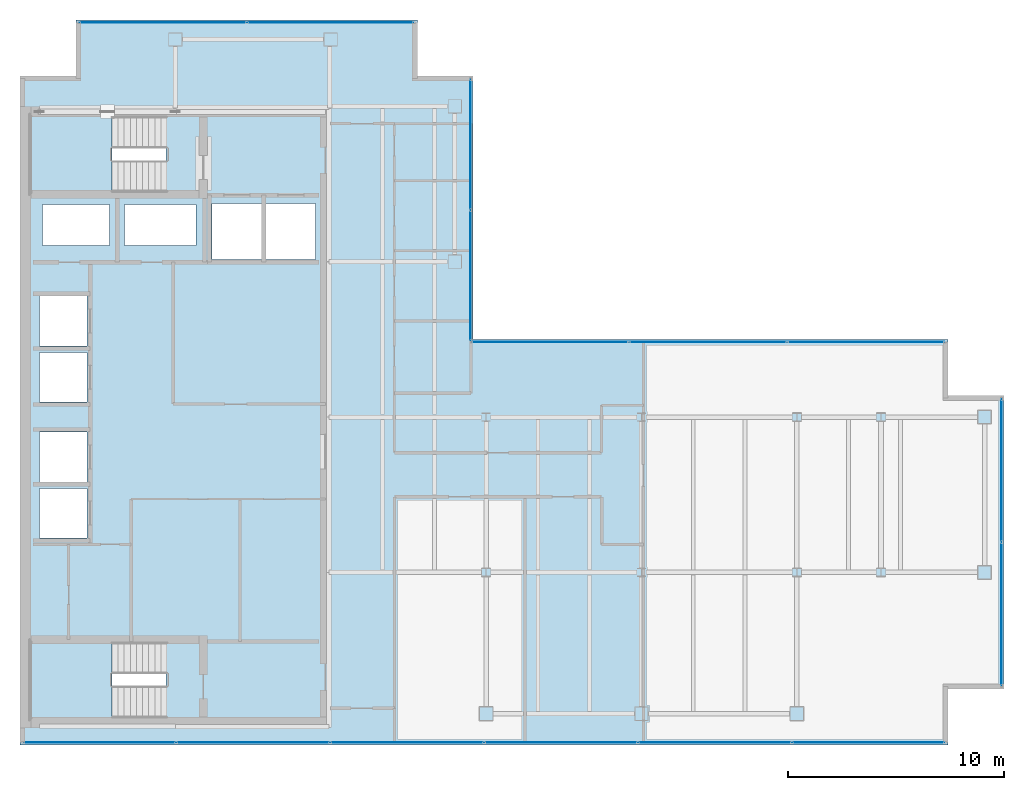
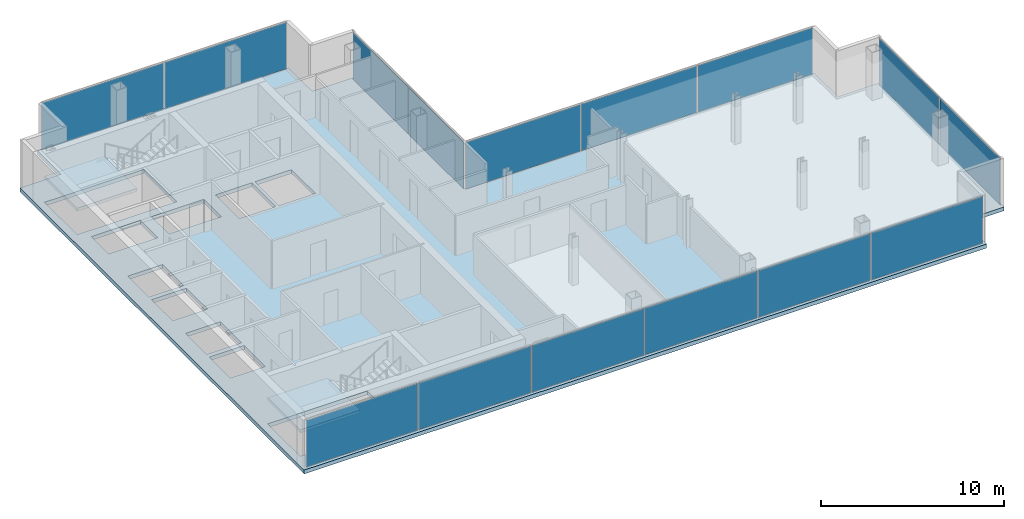
# One storey, part 19 of 23: 15 plates, 3 slabs, 10 openings, 7 elements without a shape of their own.
"""IFC4 building model written with IfcOpenShell, lengths in metres."""

import ifcopenshell
import ifcopenshell.guid

model = None  # the IFC model being written
_history = None  # IfcOwnerHistory: only IFC2X3 demands one
_inside = {}  # id of a spatial element -> (the spatial element, [elements in it])
_under = {}  # id of a project, library or spatial element -> (it, [spatial elements below it])
_declared = {}  # id of a project -> (the project, [libraries it declares])
_typed = {}  # id of a type object -> (the type object, [elements of that type])
_made_of = {}  # id of a material, layer set ... -> (it, [elements and type objects made of it])


def new_model(schema):
    """Start an empty IFC model of exactly this schema.

    Asked for "IFC4X3", IfcOpenShell would pick the latest addendum, in which some entities
    have other attributes; the version numbers below select the first issue.
    IFC2X3 requires an IfcOwnerHistory on every rooted entity: one is made here for all.
    """
    global model, _history
    if schema == "IFC4X3":
        model = ifcopenshell.file(schema_version=(4, 3, 0, 0))
    else:
        model = ifcopenshell.file(schema=schema)
    _inside.clear()
    _under.clear()
    _declared.clear()
    _typed.clear()
    _made_of.clear()
    _history = None
    if model.schema == "IFC2X3":
        org = make("IfcOrganization", Name="unknown")
        user = make(
            "IfcPersonAndOrganization",
            ThePerson=make("IfcPerson", FamilyName="unknown"),
            TheOrganization=org,
        )
        app = make(
            "IfcApplication",
            ApplicationDeveloper=org,
            Version="unknown",
            ApplicationFullName="unknown",
            ApplicationIdentifier="unknown",
        )
        _history = make(
            "IfcOwnerHistory",
            OwningUser=user,
            OwningApplication=app,
            ChangeAction="ADDED",
            CreationDate=0,
        )
    return model


def make(cls, **values):
    """One entity of the class cls with the attributes given. An attribute that is None is left unset."""
    return model.create_entity(
        cls, **{name: value for name, value in values.items() if value is not None}
    )


def rooted(cls, **values):
    """An entity with a GlobalId (a new one), such as an element, a storey or a relation."""
    return make(cls, GlobalId=ifcopenshell.guid.new(), OwnerHistory=_history, **values)


def si_unit(unit_type, name, prefix=None):
    """IfcSIUnit, for example si_unit("LENGTHUNIT", "METRE", prefix="MILLI")."""
    return make("IfcSIUnit", UnitType=unit_type, Prefix=prefix, Name=name)


def assignment(units):
    """IfcUnitAssignment: the units of a project."""
    return None if units is None else make("IfcUnitAssignment", Units=units)


def point(xyz):
    """IfcCartesianPoint."""
    return None if xyz is None else make("IfcCartesianPoint", Coordinates=xyz)


def direction(xyz):
    """IfcDirection."""
    return None if xyz is None else make("IfcDirection", DirectionRatios=xyz)


def frame(location, z_axis=None, x_axis=None):
    """IfcAxis2Placement3D, a coordinate frame: its origin and axes. An axis left out is left unset."""
    return make(
        "IfcAxis2Placement3D",
        Location=point(location),
        Axis=direction(z_axis),
        RefDirection=direction(x_axis),
    )


def frame_2d(location, x_axis=None):
    """IfcAxis2Placement2D, a coordinate frame in the plane: its origin and x axis."""
    return make(
        "IfcAxis2Placement2D", Location=point(location), RefDirection=direction(x_axis)
    )


def origin():
    """The frame at (0, 0, 0) with its axes left unset."""
    return frame((0.0, 0.0, 0.0))


def origin_2d():
    """The frame at (0, 0) in the plane with its x axis left unset."""
    return frame_2d((0.0, 0.0))


def place(relative_to, where):
    """IfcLocalPlacement: puts the frame where relative to a parent placement (None: the world)."""
    return make(
        "IfcLocalPlacement", PlacementRelTo=relative_to, RelativePlacement=where
    )


def context(
    kind, dimensions, precision=None, world=None, true_north=None, identifier=None
):
    """IfcGeometricRepresentationContext, for example the 3D "Model" context."""
    return make(
        "IfcGeometricRepresentationContext",
        ContextIdentifier=identifier,
        ContextType=kind,
        CoordinateSpaceDimension=dimensions,
        Precision=precision,
        WorldCoordinateSystem=world,
        TrueNorth=true_north,
    )


def subcontext(parent, identifier, kind, view, scale=None):
    """IfcGeometricRepresentationSubContext, for example "Body" below "Model"."""
    return make(
        "IfcGeometricRepresentationSubContext",
        ContextIdentifier=identifier,
        ContextType=kind,
        ParentContext=parent,
        TargetScale=scale,
        TargetView=view,
    )


def project(units=None, contexts=None):
    """IfcProject with its units and contexts."""
    return rooted(
        "IfcProject",
        Name="project",
        RepresentationContexts=contexts,
        UnitsInContext=assignment(units),
    )


def spatial(cls, under=None, at=None, **own):
    """A site, building, storey or space (cls), placed at a placement, below another one or the project."""
    s = rooted(cls, ObjectPlacement=at, **own)
    if under is not None:
        _under.setdefault(under.id(), (under, []))[1].append(s)
    return s


def polyline(points):
    """IfcPolyline through the points."""
    return make("IfcPolyline", Points=[point(p) for p in points])


def profile(cls, at=None, kind="AREA", **sizes):
    """A parametric profile (cls). Its sizes go by their IFC names, for example OverallWidth=200.0."""
    return make(cls, ProfileType=kind, Position=at, **sizes)


def rectangle(**sizes):
    """IfcRectangleProfileDef."""
    return profile("IfcRectangleProfileDef", **sizes)


def outline(outer, holes=None, kind="AREA"):
    """IfcArbitraryClosedProfileDef: a profile drawn as a closed curve; with holes, ...WithVoids."""
    if holes is None:
        return make("IfcArbitraryClosedProfileDef", ProfileType=kind, OuterCurve=outer)
    return make(
        "IfcArbitraryProfileDefWithVoids",
        ProfileType=kind,
        OuterCurve=outer,
        InnerCurves=holes,
    )


def extrude(swept, where, along, depth):
    """IfcExtrudedAreaSolid: the profile swept, set in the frame where, extruded along a direction by depth."""
    return make(
        "IfcExtrudedAreaSolid",
        SweptArea=swept,
        Position=where,
        ExtrudedDirection=direction(along),
        Depth=depth,
    )


def shape(context_of_items, identifier, shape_type, items):
    """IfcShapeRepresentation: the items that make up one representation, for example the "Body"."""
    return make(
        "IfcShapeRepresentation",
        ContextOfItems=context_of_items,
        RepresentationIdentifier=identifier,
        RepresentationType=shape_type,
        Items=items,
    )


def material(Name=None, Category=None):
    """IfcMaterial."""
    return make("IfcMaterial", Name=Name, Category=Category)


def layer(
    of_material, thickness, ventilated=None, Name=None, Category=None, Priority=None
):
    """IfcMaterialLayer: one layer of a wall or slab, of a material (None: an air gap)."""
    return make(
        "IfcMaterialLayer",
        Material=of_material,
        LayerThickness=thickness,
        IsVentilated=ventilated,
        Name=Name,
        Category=Category,
        Priority=Priority,
    )


def layer_set(layers, Name=None):
    """IfcMaterialLayerSet."""
    return make("IfcMaterialLayerSet", MaterialLayers=layers, LayerSetName=Name)


def made_of(thing, what):
    """Note that an element or type object is made of a material, layer set ...; save() writes the relation."""
    if what is not None:
        _made_of.setdefault(what.id(), (what, []))[1].append(thing)
    return thing


def type_object(cls, material=None, **own):
    """A type object (cls), such as IfcWallType, which elements share."""
    return made_of(rooted(cls, **own), material)


def element(
    cls,
    number,
    at=None,
    inside=None,
    cuts=None,
    type_object=None,
    material=None,
    context=None,
    identifier="Body",
    shape_type=None,
    held_by="IfcProductDefinitionShape",
    body=None,
    shapes=None,
    **own,
):
    """One element of the class cls, such as IfcWall. Its Tag is "e" and its number.

    at: its placement. inside: the storey or other place that contains it. cuts: it is an
    opening in that element (IfcRelVoidsElement). A single representation is given by context,
    identifier, shape_type and body (its items); several are given by shapes. held_by: the class
    of the entity that holds the representations. save() writes the other relations.
    """
    e = rooted(cls, Tag="e%d" % number, ObjectPlacement=at, **own)
    if body is not None:
        shapes = [shape(context, identifier, shape_type, body)]
    if shapes is not None:
        e.Representation = make(held_by, Representations=shapes)
    if inside is not None:
        _inside.setdefault(inside.id(), (inside, []))[1].append(e)
    if cuts is not None:
        rooted(
            "IfcRelVoidsElement", RelatingBuildingElement=cuts, RelatedOpeningElement=e
        )
    if type_object is not None:
        _typed.setdefault(type_object.id(), (type_object, []))[1].append(e)
    return made_of(e, material)


def aggregate(whole, parts):
    """IfcRelAggregates: a whole, such as a stair, and the parts it consists of."""
    return rooted("IfcRelAggregates", RelatingObject=whole, RelatedObjects=parts)


def save(model, path):
    """Write the relations noted so far, then the file.

    IfcRelAggregates (storeys below a building ...), IfcRelContainedInSpatialStructure (elements
    in a storey), IfcRelDefinesByType, IfcRelAssociatesMaterial and IfcRelDeclares: one each for
    every whole, place, type object, material and project.
    """
    for whole, parts in _under.values():
        aggregate(whole, parts)
    for where, things in _inside.values():
        rooted(
            "IfcRelContainedInSpatialStructure",
            RelatedElements=things,
            RelatingStructure=where,
        )
    for kind, things in _typed.values():
        rooted("IfcRelDefinesByType", RelatedObjects=things, RelatingType=kind)
    for what, things in _made_of.values():
        rooted("IfcRelAssociatesMaterial", RelatedObjects=things, RelatingMaterial=what)
    for by, libraries in _declared.values():
        rooted("IfcRelDeclares", RelatingContext=by, RelatedDefinitions=libraries)
    model.write(path)


model = new_model("IFC4")

# Units and contexts
model_context = context("Model", 3, precision=1e-05, world=origin(), true_north=direction((0.0, 1.0)))
body_context = subcontext(model_context, "Body", "Model", "MODEL_VIEW")
ifc_project = project(units=[si_unit("LENGTHUNIT", "METRE"), si_unit("AREAUNIT", "SQUARE_METRE"), si_unit("VOLUMEUNIT", "CUBIC_METRE"), si_unit("PLANEANGLEUNIT", "RADIAN"), si_unit("MASSUNIT", "GRAM", prefix="KILO")], contexts=[model_context])

# Site, building, storey
site_placement = place(None, origin())
site = spatial("IfcSite", under=ifc_project, at=site_placement, CompositionType="ELEMENT")
building_placement = place(site_placement, origin())
building = spatial("IfcBuilding", under=site, at=building_placement, Name="Cobrela Telecom Tower", CompositionType="ELEMENT")
storey_placement = place(building_placement, frame((0.0, 0.0, 262.14990234375)))
storey = spatial("IfcBuildingStorey", under=building, at=storey_placement, Name="L68", CompositionType="ELEMENT", Elevation=262.14990234375)

# Curtain wall, plates
ifc_material_1 = material(Name="Anodized Bronze Aluminium 6063-T6", Category="aluminium")
curtain_wall_type = type_object("IfcCurtainWallType", Name="CW-SYS-OFF-HI", PredefinedType="USERDEFINED", material=ifc_material_1)
curtain_wall_1_placement = place(storey_placement, origin())
curtain_wall_1 = element("IfcCurtainWall", 1, at=curtain_wall_1_placement, inside=storey, type_object=curtain_wall_type, Name="L68 Unitised Bronze Curtain Wall 05", ObjectType="UNITISED CURTAIN WALL", PredefinedType="USERDEFINED")
ifc_material_2 = material(Name="Solar-Control Bronze Low-E Glass", Category="glass")
ifc_layer_1 = layer(ifc_material_2, 0.030029296875)
ifc_layer_set_1 = layer_set([ifc_layer_1], Name="Solar-Control Bronze Low-E Glass")
plate_type = type_object("IfcPlateType", Name="CW-SYS-OFF-HI-PNL", PredefinedType="CURTAIN_PANEL", material=ifc_layer_set_1)
plate_1_placement = place(storey_placement, frame((6.62255859375, 39.8798828125, 0.06494140625), z_axis=(0.0, 0.0, 1.0), x_axis=(1.0, 0.0, 0.0)))
plate_1 = element("IfcPlate", 2, at=plate_1_placement, type_object=plate_type, Name="CW-OFF-HI panel 1.1", PredefinedType="CURTAIN_PANEL", context=body_context, shape_type="SweptSolid", body=[
    extrude(rectangle(XDim=7.68505859375, YDim=0.030029296875, at=origin_2d()), origin(), (0.0, 0.0, 1.0), 3.110107421875),
])
plate_2_placement = place(storey_placement, frame((14.37744140625, 39.8798828125, 0.06494140625), z_axis=(0.0, 0.0, 1.0), x_axis=(1.0, 0.0, 0.0)))
plate_2 = element("IfcPlate", 3, at=plate_2_placement, type_object=plate_type, Name="CW-OFF-HI panel 2.1", PredefinedType="CURTAIN_PANEL", context=body_context, shape_type="SweptSolid", body=[
    extrude(rectangle(XDim=7.68505859375, YDim=0.030029296875, at=origin_2d()), origin(), (0.0, 0.0, 1.0), 3.110107421875),
])
aggregate(curtain_wall_1, [plate_1, plate_2])

curtain_wall_2_placement = place(storey_placement, origin())
curtain_wall_2 = element("IfcCurtainWall", 4, at=curtain_wall_2_placement, inside=storey, type_object=curtain_wall_type, Name="L68 Unitised Bronze Curtain Wall 08", ObjectType="UNITISED CURTAIN WALL", PredefinedType="USERDEFINED")
plate_3_placement = place(storey_placement, frame((20.8798828125, 34.219970703125, 0.06494140625), z_axis=(0.0, 0.0, 1.0), x_axis=(0.0, -1.0, 0.0)))
plate_3 = element("IfcPlate", 5, at=plate_3_placement, type_object=plate_type, Name="CW-OFF-HI panel 1.1", PredefinedType="CURTAIN_PANEL", context=body_context, shape_type="SweptSolid", body=[
    extrude(rectangle(XDim=6.0, YDim=0.030029296875, at=origin_2d()), origin(), (0.0, 0.0, 1.0), 3.110107421875),
])
plate_4_placement = place(storey_placement, frame((20.8798828125, 28.14990234375, 0.06494140625), z_axis=(0.0, 0.0, 1.0), x_axis=(0.0, -1.0, 0.0)))
plate_4 = element("IfcPlate", 6, at=plate_4_placement, type_object=plate_type, Name="CW-OFF-HI panel 2.1", PredefinedType="CURTAIN_PANEL", context=body_context, shape_type="SweptSolid", body=[
    extrude(rectangle(XDim=6.0, YDim=0.030029296875, at=origin_2d()), origin(), (0.0, 0.0, 1.0), 3.110107421875),
])
aggregate(curtain_wall_2, [plate_3, plate_4])

curtain_wall_3_placement = place(storey_placement, origin())
curtain_wall_3 = element("IfcCurtainWall", 7, at=curtain_wall_3_placement, inside=storey, type_object=curtain_wall_type, Name="L68 Unitised Bronze Curtain Wall 09", ObjectType="UNITISED CURTAIN WALL", PredefinedType="USERDEFINED")
plate_5_placement = place(storey_placement, frame((24.56591796875, 25.080078125, 0.06494140625), z_axis=(0.0, 0.0, 1.0), x_axis=(1.0, 0.0, 0.0)))
plate_5 = element("IfcPlate", 8, at=plate_5_placement, type_object=plate_type, Name="CW-OFF-HI panel 1.1", PredefinedType="CURTAIN_PANEL", context=body_context, shape_type="SweptSolid", body=[
    extrude(rectangle(XDim=7.231689453125, YDim=0.030029296875, at=origin_2d()), origin(), (0.0, 0.0, 1.0), 3.110107421875),
])
plate_6_placement = place(storey_placement, frame((31.885009765625, 25.080078125, 0.06494140625), z_axis=(0.0, 0.0, 1.0), x_axis=(1.0, 0.0, 0.0)))
plate_6 = element("IfcPlate", 9, at=plate_6_placement, type_object=plate_type, Name="CW-OFF-HI panel 2.1", PredefinedType="CURTAIN_PANEL", context=body_context, shape_type="SweptSolid", body=[
    extrude(rectangle(XDim=7.2666015625, YDim=0.030029296875, at=origin_2d()), origin(), (0.0, 0.0, 1.0), 3.110107421875),
])
plate_7_placement = place(storey_placement, frame((39.2041015625, 25.080078125, 0.06494140625), z_axis=(0.0, 0.0, 1.0), x_axis=(1.0, 0.0, 0.0)))
plate_7 = element("IfcPlate", 10, at=plate_7_placement, type_object=plate_type, Name="CW-OFF-HI panel 3.1", PredefinedType="CURTAIN_PANEL", context=body_context, shape_type="SweptSolid", body=[
    extrude(rectangle(XDim=7.231689453125, YDim=0.030029296875, at=origin_2d()), origin(), (0.0, 0.0, 1.0), 3.110107421875),
])
aggregate(curtain_wall_3, [plate_5, plate_6, plate_7])

curtain_wall_4_placement = place(storey_placement, origin())
curtain_wall_4 = element("IfcCurtainWall", 11, at=curtain_wall_4_placement, inside=storey, type_object=curtain_wall_type, Name="L68 Unitised Bronze Curtain Wall 12", ObjectType="UNITISED CURTAIN WALL", PredefinedType="USERDEFINED")
plate_8_placement = place(storey_placement, frame((45.47998046875, 19.12744140625, 0.06494140625), z_axis=(0.0, 0.0, 1.0), x_axis=(0.0, -1.0, 0.0)))
plate_8 = element("IfcPlate", 12, at=plate_8_placement, type_object=plate_type, Name="CW-OFF-HI panel 1.1", PredefinedType="CURTAIN_PANEL", context=body_context, shape_type="SweptSolid", body=[
    extrude(rectangle(XDim=6.5849609375, YDim=0.030029296875, at=origin_2d()), origin(), (0.0, 0.0, 1.0), 3.110107421875),
])
plate_9_placement = place(storey_placement, frame((45.47998046875, 12.472412109375, 0.06494140625), z_axis=(0.0, 0.0, 1.0), x_axis=(0.0, -1.0, 0.0)))
plate_9 = element("IfcPlate", 13, at=plate_9_placement, type_object=plate_type, Name="CW-OFF-HI panel 2.1", PredefinedType="CURTAIN_PANEL", context=body_context, shape_type="SweptSolid", body=[
    extrude(rectangle(XDim=6.5849609375, YDim=0.030029296875, at=origin_2d()), origin(), (0.0, 0.0, 1.0), 3.110107421875),
])
aggregate(curtain_wall_4, [plate_8, plate_9])

curtain_wall_5_placement = place(storey_placement, origin())
curtain_wall_5 = element("IfcCurtainWall", 14, at=curtain_wall_5_placement, inside=storey, type_object=curtain_wall_type, Name="L68 Unitised Bronze Curtain Wall 15", ObjectType="UNITISED CURTAIN WALL", PredefinedType="USERDEFINED")
plate_10_placement = place(storey_placement, frame((39.308349609375, 6.52001953125, 0.06494140625), z_axis=(0.0, 0.0, 1.0), x_axis=(-1.0, 0.0, 0.0)))
plate_10 = element("IfcPlate", 15, at=plate_10_placement, type_object=plate_type, Name="CW-OFF-HI panel 1.1", PredefinedType="CURTAIN_PANEL", context=body_context, shape_type="SweptSolid", body=[
    extrude(rectangle(XDim=7.0234375, YDim=0.030029296875, at=origin_2d()), origin(), (0.0, 0.0, 1.0), 3.110107421875),
])
plate_11_placement = place(storey_placement, frame((32.197509765625, 6.52001953125, 0.06494140625), z_axis=(0.0, 0.0, 1.0), x_axis=(-1.0, 0.0, 0.0)))
plate_11 = element("IfcPlate", 16, at=plate_11_placement, type_object=plate_type, Name="CW-OFF-HI panel 2.1", PredefinedType="CURTAIN_PANEL", context=body_context, shape_type="SweptSolid", body=[
    extrude(rectangle(XDim=7.058349609375, YDim=0.030029296875, at=origin_2d()), origin(), (0.0, 0.0, 1.0), 3.110107421875),
])
plate_12_placement = place(storey_placement, frame((25.069091796875, 6.52001953125, 0.06494140625), z_axis=(0.0, 0.0, 1.0), x_axis=(-1.0, 0.0, 0.0)))
plate_12 = element("IfcPlate", 17, at=plate_12_placement, type_object=plate_type, Name="CW-OFF-HI panel 3.1", PredefinedType="CURTAIN_PANEL", context=body_context, shape_type="SweptSolid", body=[
    extrude(rectangle(XDim=7.058349609375, YDim=0.030029296875, at=origin_2d()), origin(), (0.0, 0.0, 1.0), 3.110107421875),
])
plate_13_placement = place(storey_placement, frame((17.94091796875, 6.52001953125, 0.06494140625), z_axis=(0.0, 0.0, 1.0), x_axis=(-1.0, 0.0, 0.0)))
plate_13 = element("IfcPlate", 18, at=plate_13_placement, type_object=plate_type, Name="CW-OFF-HI panel 4.1", PredefinedType="CURTAIN_PANEL", context=body_context, shape_type="SweptSolid", body=[
    extrude(rectangle(XDim=7.058349609375, YDim=0.030029296875, at=origin_2d()), origin(), (0.0, 0.0, 1.0), 3.110107421875),
])
plate_14_placement = place(storey_placement, frame((10.8125, 6.52001953125, 0.06494140625), z_axis=(0.0, 0.0, 1.0), x_axis=(-1.0, 0.0, 0.0)))
plate_14 = element("IfcPlate", 19, at=plate_14_placement, type_object=plate_type, Name="CW-OFF-HI panel 5.1", PredefinedType="CURTAIN_PANEL", context=body_context, shape_type="SweptSolid", body=[
    extrude(rectangle(XDim=7.058349609375, YDim=0.030029296875, at=origin_2d()), origin(), (0.0, 0.0, 1.0), 3.110107421875),
])
plate_15_placement = place(storey_placement, frame((3.70166015625, 6.52001953125, 0.06494140625), z_axis=(0.0, 0.0, 1.0), x_axis=(-1.0, 0.0, 0.0)))
plate_15 = element("IfcPlate", 20, at=plate_15_placement, type_object=plate_type, Name="CW-OFF-HI panel 6.1", PredefinedType="CURTAIN_PANEL", context=body_context, shape_type="SweptSolid", body=[
    extrude(rectangle(XDim=7.0234375, YDim=0.030029296875, at=origin_2d()), origin(), (0.0, 0.0, 1.0), 3.110107421875),
])
aggregate(curtain_wall_5, [plate_10, plate_11, plate_12, plate_13, plate_14, plate_15])

# Slab, openings
ifc_material_3 = material(Name="Concrete C40/50", Category="concrete")
ifc_layer_2 = layer(ifc_material_3, 0.260009765625)
ifc_layer_set_2 = layer_set([ifc_layer_2], Name="Concrete C40/50")
slab_type_1 = type_object("IfcSlabType", Name="SLAB-FLR-260", PredefinedType="FLOOR", material=ifc_layer_set_2)
slab_1_placement = place(storey_placement, frame((0.0, 0.0, -0.260009765625)))
slab_1 = element("IfcSlab", 21, at=slab_1_placement, inside=storey, type_object=slab_type_1, Name="L68 Structural Floor Slab", PredefinedType="FLOOR", context=body_context, shape_type="SweptSolid", body=[
    extrude(outline(polyline([(0.0, 6.39990234375), (43.010009765625, 6.39990234375), (43.010009765625, 8.989990234375), (45.60009765625, 8.989990234375), (45.60009765625, 22.610107421875), (43.010009765625, 22.610107421875), (43.010009765625, 25.199951171875), (21.0, 25.199951171875), (21.0, 37.409912109375), (18.409912109375, 37.409912109375), (18.409912109375, 40.0), (2.590087890625, 40.0), (2.590087890625, 37.409912109375), (0.0, 37.409912109375), (0.0, 6.39990234375)])), origin(), (0.0, 0.0, 1.0), 0.260009765625),
])
opening_1_placement = place(slab_1_placement, frame((0.0, 0.0, -0.02001953125)))
element("IfcOpeningElement", 22, at=opening_1_placement, cuts=slab_1, Name="Slab Shaft Opening SLAB-L68-MAIN.1", PredefinedType="OPENING", context=body_context, shape_type="SweptSolid", body=[
    extrude(outline(polyline([(8.89990234375, 28.89990234375), (11.199951171875, 28.89990234375), (11.199951171875, 31.5), (8.89990234375, 31.5), (8.89990234375, 28.89990234375)])), origin(), (0.0, 0.0, 1.0), 0.300048828125),
])
opening_2_placement = place(slab_1_placement, frame((0.0, 0.0, -0.02001953125)))
element("IfcOpeningElement", 23, at=opening_2_placement, cuts=slab_1, Name="Slab Shaft Opening SLAB-L68-MAIN.2", PredefinedType="OPENING", context=body_context, shape_type="SweptSolid", body=[
    extrude(outline(polyline([(11.39990234375, 28.89990234375), (13.699951171875, 28.89990234375), (13.699951171875, 31.5), (11.39990234375, 31.5), (11.39990234375, 28.89990234375)])), origin(), (0.0, 0.0, 1.0), 0.300048828125),
])
opening_3_placement = place(slab_1_placement, frame((0.0, 0.0, -0.02001953125)))
element("IfcOpeningElement", 24, at=opening_3_placement, cuts=slab_1, Name="Slab Shaft Opening SLAB-L68-MAIN.3", PredefinedType="OPENING", context=body_context, shape_type="SweptSolid", body=[
    extrude(outline(polyline([(0.89990234375, 16.0), (3.10009765625, 16.0), (3.10009765625, 18.300048828125), (0.89990234375, 18.300048828125), (0.89990234375, 16.0)])), origin(), (0.0, 0.0, 1.0), 0.300048828125),
])
opening_4_placement = place(slab_1_placement, frame((0.0, 0.0, -0.02001953125)))
element("IfcOpeningElement", 25, at=opening_4_placement, cuts=slab_1, Name="Slab Shaft Opening SLAB-L68-MAIN.4", PredefinedType="OPENING", context=body_context, shape_type="SweptSolid", body=[
    extrude(outline(polyline([(0.89990234375, 18.60009765625), (3.10009765625, 18.60009765625), (3.10009765625, 20.89990234375), (0.89990234375, 20.89990234375), (0.89990234375, 18.60009765625)])), origin(), (0.0, 0.0, 1.0), 0.300048828125),
])
opening_5_placement = place(slab_1_placement, frame((0.0, 0.0, -0.02001953125)))
element("IfcOpeningElement", 26, at=opening_5_placement, cuts=slab_1, Name="Slab Shaft Opening SLAB-L68-MAIN.5", PredefinedType="OPENING", context=body_context, shape_type="SweptSolid", body=[
    extrude(outline(polyline([(0.89990234375, 22.300048828125), (3.10009765625, 22.300048828125), (3.10009765625, 24.60009765625), (0.89990234375, 24.60009765625), (0.89990234375, 22.300048828125)])), origin(), (0.0, 0.0, 1.0), 0.300048828125),
])
opening_6_placement = place(slab_1_placement, frame((0.0, 0.0, -0.02001953125)))
element("IfcOpeningElement", 27, at=opening_6_placement, cuts=slab_1, Name="Slab Shaft Opening SLAB-L68-MAIN.6", PredefinedType="OPENING", context=body_context, shape_type="SweptSolid", body=[
    extrude(outline(polyline([(0.89990234375, 24.89990234375), (3.10009765625, 24.89990234375), (3.10009765625, 27.199951171875), (0.89990234375, 27.199951171875), (0.89990234375, 24.89990234375)])), origin(), (0.0, 0.0, 1.0), 0.300048828125),
])
opening_7_placement = place(slab_1_placement, frame((0.0, 0.0, -0.02001953125)))
element("IfcOpeningElement", 28, at=opening_7_placement, cuts=slab_1, Name="Slab Shaft Opening SLAB-L68-MAIN.7", PredefinedType="OPENING", context=body_context, shape_type="SweptSolid", body=[
    extrude(outline(polyline([(1.050048828125, 29.550048828125), (4.14990234375, 29.550048828125), (4.14990234375, 31.449951171875), (1.050048828125, 31.449951171875), (1.050048828125, 29.550048828125)])), origin(), (0.0, 0.0, 1.0), 0.300048828125),
])
opening_8_placement = place(slab_1_placement, frame((0.0, 0.0, -0.02001953125)))
element("IfcOpeningElement", 29, at=opening_8_placement, cuts=slab_1, Name="Slab Shaft Opening SLAB-L68-MAIN.8", PredefinedType="OPENING", context=body_context, shape_type="SweptSolid", body=[
    extrude(outline(polyline([(4.85009765625, 29.550048828125), (8.14990234375, 29.550048828125), (8.14990234375, 31.449951171875), (4.85009765625, 31.449951171875), (4.85009765625, 29.550048828125)])), origin(), (0.0, 0.0, 1.0), 0.300048828125),
])
opening_9_placement = place(slab_1_placement, frame((0.0, 0.0, -0.02001953125)))
element("IfcOpeningElement", 30, at=opening_9_placement, cuts=slab_1, Name="Slab Shaft Opening SLAB-L68-MAIN.9", PredefinedType="OPENING", context=body_context, shape_type="SweptSolid", body=[
    extrude(outline(polyline([(6.7548828125, 35.550048828125), (0.47998046875, 35.550048828125), (0.47998046875, 32.0), (6.7548828125, 32.0), (6.7548828125, 35.550048828125)])), origin(), (0.0, 0.0, 1.0), 0.300048828125),
])
opening_10_placement = place(slab_1_placement, frame((0.0, 0.0, -0.02001953125)))
element("IfcOpeningElement", 31, at=opening_10_placement, cuts=slab_1, Name="Slab Shaft Opening SLAB-L68-MAIN.10", PredefinedType="OPENING", context=body_context, shape_type="SweptSolid", body=[
    extrude(outline(polyline([(6.7548828125, 11.199951171875), (0.47998046875, 11.199951171875), (0.47998046875, 7.64990234375), (6.7548828125, 7.64990234375), (6.7548828125, 11.199951171875)])), origin(), (0.0, 0.0, 1.0), 0.300048828125),
])

# Stair, slab
stair_type = type_object("IfcStairType", Name="STAIR-CORE", PredefinedType="HALF_TURN_STAIR", material=ifc_material_3)
stair_1_placement = place(storey_placement, origin())
stair_1 = element("IfcStair", 32, at=stair_1_placement, inside=storey, type_object=stair_type, Name="L68 Smokeproof Exit Stair ST1", PredefinedType="HALF_TURN_STAIR")
ifc_layer_3 = layer(ifc_material_3, 0.199951171875)
ifc_layer_set_3 = layer_set([ifc_layer_3], Name="Concrete C40/50")
slab_type_2 = type_object("IfcSlabType", Name="SLAB-LAND-200", PredefinedType="LANDING", material=ifc_layer_set_3)
slab_2_placement = place(storey_placement, frame((0.0, 0.0, 1.550048828125)))
slab_2 = element("IfcSlab", 33, at=slab_2_placement, type_object=slab_type_2, Name="ST1 landing 1", PredefinedType="LANDING", context=body_context, shape_type="SweptSolid", body=[
    extrude(outline(polyline([(4.2548828125, 35.550048828125), (0.47998046875, 35.550048828125), (0.47998046875, 32.0), (4.2548828125, 32.0), (4.2548828125, 35.550048828125)])), origin(), (0.0, 0.0, 1.0), 0.199951171875),
])
aggregate(stair_1, [slab_2])

stair_2_placement = place(storey_placement, origin())
stair_2 = element("IfcStair", 34, at=stair_2_placement, inside=storey, type_object=stair_type, Name="L68 Smokeproof Exit Stair ST2", PredefinedType="HALF_TURN_STAIR")
slab_3_placement = place(storey_placement, frame((0.0, 0.0, 1.550048828125)))
slab_3 = element("IfcSlab", 35, at=slab_3_placement, type_object=slab_type_2, Name="ST2 landing 1", PredefinedType="LANDING", context=body_context, shape_type="SweptSolid", body=[
    extrude(outline(polyline([(4.2548828125, 11.199951171875), (0.47998046875, 11.199951171875), (0.47998046875, 7.64990234375), (4.2548828125, 7.64990234375), (4.2548828125, 11.199951171875)])), origin(), (0.0, 0.0, 1.0), 0.199951171875),
])
aggregate(stair_2, [slab_3])

save(model, "model.ifc")
